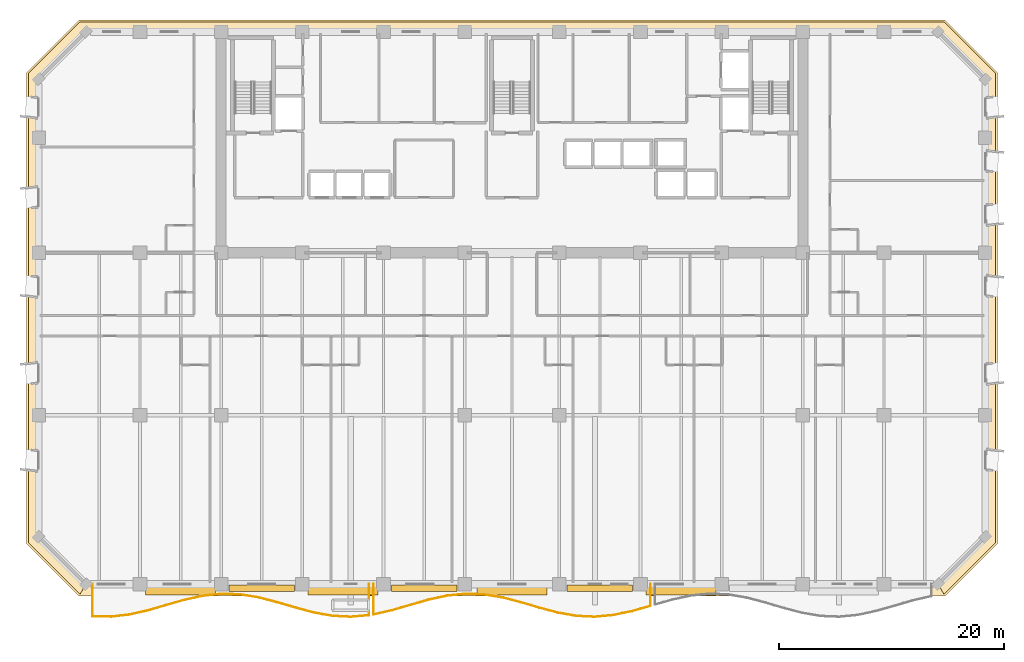
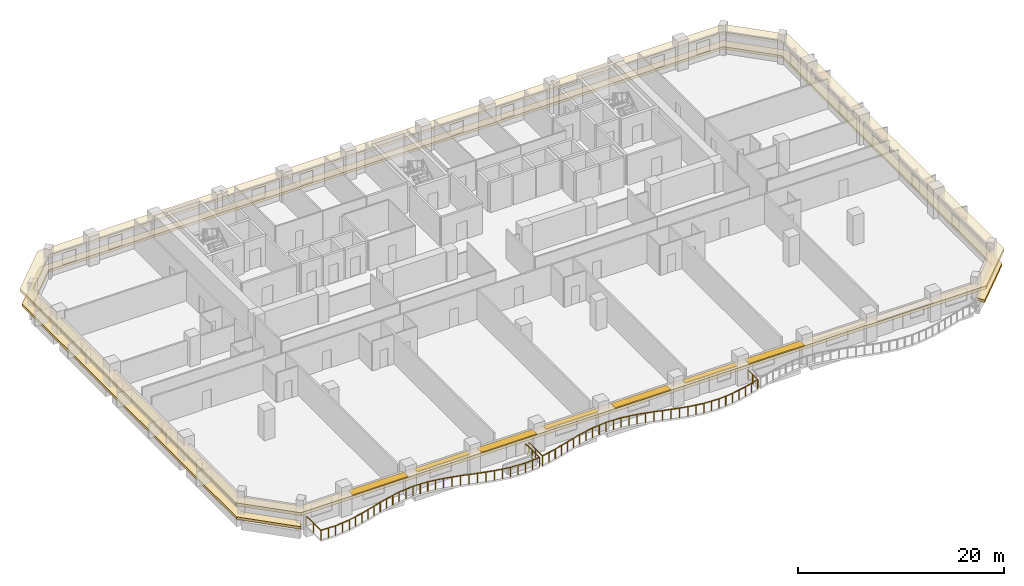
# One storey, part 12 of 15: 7 shading devices, 2 coverings, 2 railings.
"""IFC4 building model written with IfcOpenShell, lengths in metres."""

from ifc_helpers import new_model, si_unit, direction, frame, origin, origin_2d, place, context, subcontext, project, spatial, polyline, rectangle, outline, extrude, material, layer, layer_set, type_object, element, save


model = new_model("IFC4")

# Units and contexts
model_context = context("Model", 3, precision=1e-05, world=origin(), true_north=direction((0.0, 1.0)))
body_context = subcontext(model_context, "Body", "Model", "MODEL_VIEW")
ifc_project = project(units=[si_unit("LENGTHUNIT", "METRE"), si_unit("AREAUNIT", "SQUARE_METRE"), si_unit("VOLUMEUNIT", "CUBIC_METRE"), si_unit("PLANEANGLEUNIT", "RADIAN"), si_unit("MASSUNIT", "GRAM", prefix="KILO")], contexts=[model_context])

# Site, building, storey
site_placement = place(None, origin())
site = spatial("IfcSite", under=ifc_project, at=site_placement, CompositionType="ELEMENT")
building_placement = place(site_placement, origin())
building = spatial("IfcBuilding", under=site, at=building_placement, Name="Kaelvorn Grand Hotel", CompositionType="ELEMENT")
storey_placement = place(building_placement, frame((0.0, 0.0, 100.550048828125)))
storey = spatial("IfcBuildingStorey", under=building, at=storey_placement, Name="L23", CompositionType="ELEMENT", Elevation=100.550048828125)

# Coverings
ifc_material_1 = material(Name="Precast concrete C45/55", Category="concrete")
ifc_layer_1 = layer(ifc_material_1, 0.260009765625)
ifc_layer_set_1 = layer_set([ifc_layer_1], Name="Precast concrete C45/55")
covering_type_1 = type_object("IfcCoveringType", Name="COV-BAND-STREAMLINE-HEAD", PredefinedType="CLADDING", material=ifc_layer_set_1)
covering_1_placement = place(storey_placement, frame((0.0, 0.0, 2.179931640625)))
element("IfcCovering", 1, at=covering_1_placement, inside=storey, type_object=covering_type_1, Name="L23 Streamline Moderne Wraparound Horizontal Eyebrow Band", PredefinedType="CLADDING", context=body_context, shape_type="SweptSolid", body=[
    extrude(outline(polyline([(3.590087890625, -1.050048828125), (80.409912109375, -1.050048828125), (85.050048828125, 3.590087890625), (85.050048828125, 45.409912109375), (80.409912109375, 50.050048828125), (3.590087890625, 50.050048828125), (-1.050048828125, 45.409912109375), (-1.050048828125, 3.590087890625), (3.590087890625, -1.050048828125)]), holes=[polyline([(4.219970703125, 0.030029296875), (79.780029296875, 0.030029296875), (83.969970703125, 4.219970703125), (83.969970703125, 44.780029296875), (79.780029296875, 48.969970703125), (4.219970703125, 48.969970703125), (0.030029296875, 44.780029296875), (0.030029296875, 4.219970703125), (4.219970703125, 0.030029296875)])]), origin(), (0.0, 0.0, 1.0), 0.360107421875),
])
ifc_layer_2 = layer(ifc_material_1, 0.219970703125)
ifc_layer_set_2 = layer_set([ifc_layer_2], Name="Precast concrete C45/55")
covering_type_2 = type_object("IfcCoveringType", Name="COV-BAND-STREAMLINE-SILL", PredefinedType="CLADDING", material=ifc_layer_set_2)
covering_2_placement = place(storey_placement, frame((0.0, 0.0, 0.449951171875)))
element("IfcCovering", 2, at=covering_2_placement, inside=storey, type_object=covering_type_2, Name="L23 Streamline Moderne Wraparound Horizontal Sill Spandrel Band", PredefinedType="CLADDING", context=body_context, shape_type="SweptSolid", body=[
    extrude(outline(polyline([(80.3154296875, -0.8798828125), (84.8798828125, 3.6845703125), (84.8798828125, 45.3154296875), (80.3154296875, 49.8798828125), (3.6845703125, 49.8798828125), (-0.8798828125, 45.3154296875), (-0.8798828125, 3.6845703125), (3.6845703125, -0.8798828125), (4.217529296875, 0.030029296875), (0.030029296875, 4.217529296875), (0.030029296875, 44.782470703125), (4.217529296875, 48.969970703125), (79.782470703125, 48.969970703125), (83.969970703125, 44.782470703125), (83.969970703125, 4.217529296875), (79.782470703125, 0.030029296875), (80.3154296875, -0.8798828125)])), origin(), (0.0, 0.0, 1.0), 0.300048828125),
])

# Railings
ifc_material_2 = material(Name="Stainless Steel", Category="steel")
railing_type = type_object("IfcRailingType", Name="RL-BALC-1150", PredefinedType="BALUSTRADE", material=ifc_material_2)
railing_1_placement = place(storey_placement, frame((4.800048828125, 0.0, 0.0)))
element("IfcRailing", 3, at=railing_1_placement, inside=storey, type_object=railing_type, Name="L23 Scalloped Wave Balcony Balustrade GR1-1", PredefinedType="BALUSTRADE", context=body_context, shape_type="SweptSolid", body=[
    extrude(rectangle(XDim=0.048095703125, YDim=0.048095703125, at=origin_2d()), frame((0.0, 0.0, 1.1259765625), z_axis=(0.0, -1.0, 0.0), x_axis=(1.0, 0.0, 0.0)), (0.0, 0.0, 1.0), 2.849853515625),
    extrude(rectangle(XDim=0.048095703125, YDim=0.048095703125, at=origin_2d()), frame((0.0, -2.849853515625, 1.1259765625), z_axis=(0.999746055688, -0.022534953636, 0.0), x_axis=(0.022534953636, 0.999746055688, 0.0)), (0.0, 0.0, 1.0), 1.635986328125),
    extrude(rectangle(XDim=0.048095703125, YDim=0.048095703125, at=origin_2d()), frame((1.635498046875, -2.88671875, 1.1259765625), z_axis=(0.993458851833, 0.114190672624, 0.0), x_axis=(-0.114190672624, 0.993458851833, 0.0)), (0.0, 0.0, 1.0), 1.646240234375),
    extrude(rectangle(XDim=0.048095703125, YDim=0.048095703125, at=origin_2d()), frame((3.27099609375, -2.69873046875, 1.1259765625), z_axis=(0.975249967804, 0.221105179268, 0.0), x_axis=(-0.221105179268, 0.975249967804, 0.0)), (0.0, 0.0, 1.0), 1.67724609375),
    extrude(rectangle(XDim=0.048095703125, YDim=0.048095703125, at=origin_2d()), frame((4.90673828125, -2.327880859375, 1.1259765625), z_axis=(0.960877196389, 0.276974752385, 0.0), x_axis=(-0.276974752385, 0.960877196389, 0.0)), (0.0, 0.0, 1.0), 1.7021484375),
    extrude(rectangle(XDim=0.048095703125, YDim=0.048095703125, at=origin_2d()), frame((6.542236328125, -1.8564453125, 1.1259765625), z_axis=(0.961523947641, 0.274721127897, 0.0), x_axis=(-0.274721127897, 0.961523947641, 0.0)), (0.0, 0.0, 1.0), 1.700927734375),
    extrude(rectangle(XDim=0.048095703125, YDim=0.048095703125, at=origin_2d()), frame((8.177734375, -1.38916015625, 1.1259765625), z_axis=(0.976698893924, 0.21461423673, 0.0), x_axis=(-0.21461423673, 0.976698893924, 0.0)), (0.0, 0.0, 1.0), 1.674560546875),
    extrude(rectangle(XDim=0.048095703125, YDim=0.048095703125, at=origin_2d()), frame((9.813232421875, -1.02978515625, 1.1259765625), z_axis=(0.994538755279, 0.104367927297, 0.0), x_axis=(-0.104367927297, 0.994538755279, 0.0)), (0.0, 0.0, 1.0), 1.64453125),
    extrude(rectangle(XDim=0.048095703125, YDim=0.048095703125, at=origin_2d()), frame((11.44873046875, -0.858154296875, 1.1259765625), z_axis=(0.999451509735, -0.033116154502, 0.0), x_axis=(0.033116154502, 0.999451509735, 0.0)), (0.0, 0.0, 1.0), 1.63671875),
    extrude(rectangle(XDim=0.048095703125, YDim=0.048095703125, at=origin_2d()), frame((13.08447265625, -0.912353515625, 1.1259765625), z_axis=(0.986832291042, -0.161746806324, 0.0), x_axis=(0.161746806324, 0.986832291042, 0.0)), (0.0, 0.0, 1.0), 1.6572265625),
    extrude(rectangle(XDim=0.048095703125, YDim=0.048095703125, at=origin_2d()), frame((14.719970703125, -1.180419921875, 1.1259765625), z_axis=(0.96823444274, -0.25004412389, 0.0), x_axis=(0.25004412389, 0.96823444274, 0.0)), (0.0, 0.0, 1.0), 1.689208984375),
    extrude(rectangle(XDim=0.048095703125, YDim=0.048095703125, at=origin_2d()), frame((16.35546875, -1.602783203125, 1.1259765625), z_axis=(0.959105197492, -0.283049854522, 0.0), x_axis=(0.283049854522, 0.959105197492, 0.0)), (0.0, 0.0, 1.0), 1.705322265625),
    extrude(rectangle(XDim=0.048095703125, YDim=0.048095703125, at=origin_2d()), frame((17.990966796875, -2.08544921875, 1.1259765625), z_axis=(0.966258871987, -0.257572887368, 0.0), x_axis=(0.257572887368, 0.966258871987, 0.0)), (0.0, 0.0, 1.0), 1.69287109375),
    extrude(rectangle(XDim=0.048095703125, YDim=0.048095703125, at=origin_2d()), frame((19.626708984375, -2.521484375, 1.1259765625), z_axis=(0.984383042767, -0.176039839563, 0.0), x_axis=(0.176039839563, 0.984383042767, 0.0)), (0.0, 0.0, 1.0), 1.661376953125),
    extrude(rectangle(XDim=0.048095703125, YDim=0.048095703125, at=origin_2d()), frame((21.26220703125, -2.81396484375, 1.1259765625), z_axis=(0.998684141863, -0.05128337734, 0.0), x_axis=(0.05128337734, 0.998684141863, 0.0)), (0.0, 0.0, 1.0), 1.6376953125),
    extrude(rectangle(XDim=0.048095703125, YDim=0.048095703125, at=origin_2d()), frame((22.897705078125, -2.89794921875, 1.1259765625), z_axis=(0.996182895251, 0.087290544785, 0.0), x_axis=(-0.087290544785, 0.996182895251, 0.0)), (0.0, 0.0, 1.0), 1.641845703125),
    extrude(rectangle(XDim=0.048095703125, YDim=0.048095703125, at=origin_2d()), frame((24.533203125, -2.754638671875, 1.1259765625), z_axis=(0.0, 1.0, 0.0), x_axis=(-1.0, 0.0, 0.0)), (0.0, 0.0, 1.0), 2.754638671875),
    extrude(rectangle(XDim=0.0419921875, YDim=0.0419921875, at=origin_2d()), origin(), (0.0, 0.0, 1.0), 1.101806640625),
    extrude(rectangle(XDim=0.0419921875, YDim=0.0419921875, at=origin_2d()), frame((0.0, -1.4248046875, 0.0)), (0.0, 0.0, 1.0), 1.101806640625),
    extrude(rectangle(XDim=0.0419921875, YDim=0.0419921875, at=origin_2d()), frame((0.0, -2.849853515625, 0.0)), (0.0, 0.0, 1.0), 1.101806640625),
    extrude(rectangle(XDim=0.0419921875, YDim=0.0419921875, at=origin_2d()), frame((0.81787109375, -2.8681640625, 0.0)), (0.0, 0.0, 1.0), 1.101806640625),
    extrude(rectangle(XDim=0.0419921875, YDim=0.0419921875, at=origin_2d()), frame((1.635498046875, -2.88671875, 0.0)), (0.0, 0.0, 1.0), 1.101806640625),
    extrude(rectangle(XDim=0.0419921875, YDim=0.0419921875, at=origin_2d()), frame((2.453125, -2.792724609375, 0.0)), (0.0, 0.0, 1.0), 1.101806640625),
    extrude(rectangle(XDim=0.0419921875, YDim=0.0419921875, at=origin_2d()), frame((3.27099609375, -2.69873046875, 0.0)), (0.0, 0.0, 1.0), 1.101806640625),
    extrude(rectangle(XDim=0.0419921875, YDim=0.0419921875, at=origin_2d()), frame((4.0888671875, -2.51318359375, 0.0)), (0.0, 0.0, 1.0), 1.101806640625),
    extrude(rectangle(XDim=0.0419921875, YDim=0.0419921875, at=origin_2d()), frame((4.90673828125, -2.327880859375, 0.0)), (0.0, 0.0, 1.0), 1.101806640625),
    extrude(rectangle(XDim=0.0419921875, YDim=0.0419921875, at=origin_2d()), frame((5.724609375, -2.09228515625, 0.0)), (0.0, 0.0, 1.0), 1.101806640625),
    extrude(rectangle(XDim=0.0419921875, YDim=0.0419921875, at=origin_2d()), frame((6.542236328125, -1.8564453125, 0.0)), (0.0, 0.0, 1.0), 1.101806640625),
    extrude(rectangle(XDim=0.0419921875, YDim=0.0419921875, at=origin_2d()), frame((7.35986328125, -1.622802734375, 0.0)), (0.0, 0.0, 1.0), 1.101806640625),
    extrude(rectangle(XDim=0.0419921875, YDim=0.0419921875, at=origin_2d()), frame((8.177734375, -1.38916015625, 0.0)), (0.0, 0.0, 1.0), 1.101806640625),
    extrude(rectangle(XDim=0.0419921875, YDim=0.0419921875, at=origin_2d()), frame((8.99560546875, -1.20947265625, 0.0)), (0.0, 0.0, 1.0), 1.101806640625),
    extrude(rectangle(XDim=0.0419921875, YDim=0.0419921875, at=origin_2d()), frame((9.813232421875, -1.02978515625, 0.0)), (0.0, 0.0, 1.0), 1.101806640625),
    extrude(rectangle(XDim=0.0419921875, YDim=0.0419921875, at=origin_2d()), frame((10.630859375, -0.94384765625, 0.0)), (0.0, 0.0, 1.0), 1.101806640625),
    extrude(rectangle(XDim=0.0419921875, YDim=0.0419921875, at=origin_2d()), frame((11.44873046875, -0.858154296875, 0.0)), (0.0, 0.0, 1.0), 1.101806640625),
    extrude(rectangle(XDim=0.0419921875, YDim=0.0419921875, at=origin_2d()), frame((12.2666015625, -0.88525390625, 0.0)), (0.0, 0.0, 1.0), 1.101806640625),
    extrude(rectangle(XDim=0.0419921875, YDim=0.0419921875, at=origin_2d()), frame((13.08447265625, -0.912353515625, 0.0)), (0.0, 0.0, 1.0), 1.101806640625),
    extrude(rectangle(XDim=0.0419921875, YDim=0.0419921875, at=origin_2d()), frame((13.90234375, -1.04638671875, 0.0)), (0.0, 0.0, 1.0), 1.101806640625),
    extrude(rectangle(XDim=0.0419921875, YDim=0.0419921875, at=origin_2d()), frame((14.719970703125, -1.180419921875, 0.0)), (0.0, 0.0, 1.0), 1.101806640625),
    extrude(rectangle(XDim=0.0419921875, YDim=0.0419921875, at=origin_2d()), frame((15.53759765625, -1.3916015625, 0.0)), (0.0, 0.0, 1.0), 1.101806640625),
    extrude(rectangle(XDim=0.0419921875, YDim=0.0419921875, at=origin_2d()), frame((16.35546875, -1.602783203125, 0.0)), (0.0, 0.0, 1.0), 1.101806640625),
    extrude(rectangle(XDim=0.0419921875, YDim=0.0419921875, at=origin_2d()), frame((17.17333984375, -1.84423828125, 0.0)), (0.0, 0.0, 1.0), 1.101806640625),
    extrude(rectangle(XDim=0.0419921875, YDim=0.0419921875, at=origin_2d()), frame((17.990966796875, -2.08544921875, 0.0)), (0.0, 0.0, 1.0), 1.101806640625),
    extrude(rectangle(XDim=0.0419921875, YDim=0.0419921875, at=origin_2d()), frame((18.808837890625, -2.303466796875, 0.0)), (0.0, 0.0, 1.0), 1.101806640625),
    extrude(rectangle(XDim=0.0419921875, YDim=0.0419921875, at=origin_2d()), frame((19.626708984375, -2.521484375, 0.0)), (0.0, 0.0, 1.0), 1.101806640625),
    extrude(rectangle(XDim=0.0419921875, YDim=0.0419921875, at=origin_2d()), frame((20.4443359375, -2.667724609375, 0.0)), (0.0, 0.0, 1.0), 1.101806640625),
    extrude(rectangle(XDim=0.0419921875, YDim=0.0419921875, at=origin_2d()), frame((21.26220703125, -2.81396484375, 0.0)), (0.0, 0.0, 1.0), 1.101806640625),
    extrude(rectangle(XDim=0.0419921875, YDim=0.0419921875, at=origin_2d()), frame((22.080078125, -2.85595703125, 0.0)), (0.0, 0.0, 1.0), 1.101806640625),
    extrude(rectangle(XDim=0.0419921875, YDim=0.0419921875, at=origin_2d()), frame((22.897705078125, -2.89794921875, 0.0)), (0.0, 0.0, 1.0), 1.101806640625),
    extrude(rectangle(XDim=0.0419921875, YDim=0.0419921875, at=origin_2d()), frame((23.71533203125, -2.826171875, 0.0)), (0.0, 0.0, 1.0), 1.101806640625),
    extrude(rectangle(XDim=0.0419921875, YDim=0.0419921875, at=origin_2d()), frame((24.533203125, -2.754638671875, 0.0)), (0.0, 0.0, 1.0), 1.101806640625),
    extrude(rectangle(XDim=0.0419921875, YDim=0.0419921875, at=origin_2d()), frame((24.533203125, -1.37744140625, 0.0)), (0.0, 0.0, 1.0), 1.101806640625),
    extrude(rectangle(XDim=0.0419921875, YDim=0.0419921875, at=origin_2d()), frame((24.533203125, 0.0, 0.0)), (0.0, 0.0, 1.0), 1.101806640625),
])
railing_2_placement = place(storey_placement, frame((29.7333984375, 0.0, 0.0)))
element("IfcRailing", 4, at=railing_2_placement, inside=storey, type_object=railing_type, Name="L23 Scalloped Wave Balcony Balustrade GR1-2", PredefinedType="BALUSTRADE", context=body_context, shape_type="SweptSolid", body=[
    extrude(rectangle(XDim=0.048095703125, YDim=0.048095703125, at=origin_2d()), frame((0.0, 0.0, 1.1259765625), z_axis=(0.0, -1.0, 0.0), x_axis=(1.0, 0.0, 0.0)), (0.0, 0.0, 1.0), 2.6875),
    extrude(rectangle(XDim=0.048095703125, YDim=0.048095703125, at=origin_2d()), frame((0.0, -2.6875, 1.1259765625), z_axis=(0.974547877033, 0.22417947134, 0.0), x_axis=(-0.22417947134, 0.974547877033, 0.0)), (0.0, 0.0, 1.0), 1.67822265625),
    extrude(rectangle(XDim=0.048095703125, YDim=0.048095703125, at=origin_2d()), frame((1.635498046875, -2.311279296875, 1.1259765625), z_axis=(0.960571319089, 0.278033704689, 0.0), x_axis=(-0.278033704689, 0.960571319089, 0.0)), (0.0, 0.0, 1.0), 1.70263671875),
    extrude(rectangle(XDim=0.048095703125, YDim=0.048095703125, at=origin_2d()), frame((3.27099609375, -1.837890625, 1.1259765625), z_axis=(0.96186455439, 0.273526194374, 0.0), x_axis=(-0.273526194374, 0.96186455439, 0.0)), (0.0, 0.0, 1.0), 1.700439453125),
    extrude(rectangle(XDim=0.048095703125, YDim=0.048095703125, at=origin_2d()), frame((4.906494140625, -1.372802734375, 1.1259765625), z_axis=(0.977433707694, 0.211242389364, 0.0), x_axis=(-0.211242389364, 0.977433707694, 0.0)), (0.0, 0.0, 1.0), 1.673583984375),
    extrude(rectangle(XDim=0.048095703125, YDim=0.048095703125, at=origin_2d()), frame((6.542236328125, -1.019287109375, 1.1259765625), z_axis=(0.995050417391, 0.099371358297, 0.0), x_axis=(-0.099371358297, 0.995050417391, 0.0)), (0.0, 0.0, 1.0), 1.6435546875),
    extrude(rectangle(XDim=0.048095703125, YDim=0.048095703125, at=origin_2d()), frame((8.177734375, -0.85595703125, 1.1259765625), z_axis=(0.999264915568, -0.038335734184, 0.0), x_axis=(0.038335734184, 0.999264915568, 0.0)), (0.0, 0.0, 1.0), 1.63671875),
    extrude(rectangle(XDim=0.048095703125, YDim=0.048095703125, at=origin_2d()), frame((9.813232421875, -0.918701171875, 1.1259765625), z_axis=(0.986118033534, -0.166045848907, 0.0), x_axis=(0.166045848907, 0.986118033534, 0.0)), (0.0, 0.0, 1.0), 1.658447265625),
    extrude(rectangle(XDim=0.048095703125, YDim=0.048095703125, at=origin_2d()), frame((11.44873046875, -1.194091796875, 1.1259765625), z_axis=(0.967646406536, -0.252310189883, 0.0), x_axis=(0.252310189883, 0.967646406536, 0.0)), (0.0, 0.0, 1.0), 1.6904296875),
    extrude(rectangle(XDim=0.048095703125, YDim=0.048095703125, at=origin_2d()), frame((13.08447265625, -1.62060546875, 1.1259765625), z_axis=(0.959027432838, -0.2833132243, 0.0), x_axis=(0.2833132243, 0.959027432838, 0.0)), (0.0, 0.0, 1.0), 1.705322265625),
    extrude(rectangle(XDim=0.048095703125, YDim=0.048095703125, at=origin_2d()), frame((14.719970703125, -2.103759765625, 1.1259765625), z_axis=(0.966821682926, -0.255452213581, 0.0), x_axis=(0.255452213581, 0.966821682926, 0.0)), (0.0, 0.0, 1.0), 1.691650390625),
    extrude(rectangle(XDim=0.048095703125, YDim=0.048095703125, at=origin_2d()), frame((16.35546875, -2.535888671875, 1.1259765625), z_axis=(0.985113377214, -0.171905887142, 0.0), x_axis=(0.171905887142, 0.985113377214, 0.0)), (0.0, 0.0, 1.0), 1.66015625),
    extrude(rectangle(XDim=0.048095703125, YDim=0.048095703125, at=origin_2d()), frame((17.990966796875, -2.8212890625, 1.1259765625), z_axis=(0.998945044437, -0.045921652789, 0.0), x_axis=(0.045921652789, 0.998945044437, 0.0)), (0.0, 0.0, 1.0), 1.637451171875),
    extrude(rectangle(XDim=0.048095703125, YDim=0.048095703125, at=origin_2d()), frame((19.626708984375, -2.896484375, 1.1259765625), z_axis=(0.995730813029, 0.092304647692, 0.0), x_axis=(-0.092304647692, 0.995730813029, 0.0)), (0.0, 0.0, 1.0), 1.642578125),
    extrude(rectangle(XDim=0.048095703125, YDim=0.048095703125, at=origin_2d()), frame((21.26220703125, -2.744873046875, 1.1259765625), z_axis=(0.978500163728, 0.206246041377, 0.0), x_axis=(-0.206246041377, 0.978500163728, 0.0)), (0.0, 0.0, 1.0), 1.67138671875),
    extrude(rectangle(XDim=0.048095703125, YDim=0.048095703125, at=origin_2d()), frame((22.897705078125, -2.400146484375, 1.1259765625), z_axis=(0.962391909426, 0.27166489039, 0.0), x_axis=(-0.27166489039, 0.962391909426, 0.0)), (0.0, 0.0, 1.0), 1.699462890625),
    extrude(rectangle(XDim=0.048095703125, YDim=0.048095703125, at=origin_2d()), frame((24.533203125, -1.9384765625, 1.1259765625), z_axis=(0.0, 1.0, 0.0), x_axis=(-1.0, 0.0, 0.0)), (0.0, 0.0, 1.0), 1.9384765625),
    extrude(rectangle(XDim=0.0419921875, YDim=0.0419921875, at=origin_2d()), origin(), (0.0, 0.0, 1.0), 1.101806640625),
    extrude(rectangle(XDim=0.0419921875, YDim=0.0419921875, at=origin_2d()), frame((0.0, -1.34375, 0.0)), (0.0, 0.0, 1.0), 1.101806640625),
    extrude(rectangle(XDim=0.0419921875, YDim=0.0419921875, at=origin_2d()), frame((0.0, -2.6875, 0.0)), (0.0, 0.0, 1.0), 1.101806640625),
    extrude(rectangle(XDim=0.0419921875, YDim=0.0419921875, at=origin_2d()), frame((0.81787109375, -2.49951171875, 0.0)), (0.0, 0.0, 1.0), 1.101806640625),
    extrude(rectangle(XDim=0.0419921875, YDim=0.0419921875, at=origin_2d()), frame((1.635498046875, -2.311279296875, 0.0)), (0.0, 0.0, 1.0), 1.101806640625),
    extrude(rectangle(XDim=0.0419921875, YDim=0.0419921875, at=origin_2d()), frame((2.453125, -2.07470703125, 0.0)), (0.0, 0.0, 1.0), 1.101806640625),
    extrude(rectangle(XDim=0.0419921875, YDim=0.0419921875, at=origin_2d()), frame((3.27099609375, -1.837890625, 0.0)), (0.0, 0.0, 1.0), 1.101806640625),
    extrude(rectangle(XDim=0.0419921875, YDim=0.0419921875, at=origin_2d()), frame((4.0888671875, -1.60546875, 0.0)), (0.0, 0.0, 1.0), 1.101806640625),
    extrude(rectangle(XDim=0.0419921875, YDim=0.0419921875, at=origin_2d()), frame((4.906494140625, -1.372802734375, 0.0)), (0.0, 0.0, 1.0), 1.101806640625),
    extrude(rectangle(XDim=0.0419921875, YDim=0.0419921875, at=origin_2d()), frame((5.724365234375, -1.196044921875, 0.0)), (0.0, 0.0, 1.0), 1.101806640625),
    extrude(rectangle(XDim=0.0419921875, YDim=0.0419921875, at=origin_2d()), frame((6.542236328125, -1.019287109375, 0.0)), (0.0, 0.0, 1.0), 1.101806640625),
    extrude(rectangle(XDim=0.0419921875, YDim=0.0419921875, at=origin_2d()), frame((7.35986328125, -0.9375, 0.0)), (0.0, 0.0, 1.0), 1.101806640625),
    extrude(rectangle(XDim=0.0419921875, YDim=0.0419921875, at=origin_2d()), frame((8.177734375, -0.85595703125, 0.0)), (0.0, 0.0, 1.0), 1.101806640625),
    extrude(rectangle(XDim=0.0419921875, YDim=0.0419921875, at=origin_2d()), frame((8.99560546875, -0.88720703125, 0.0)), (0.0, 0.0, 1.0), 1.101806640625),
    extrude(rectangle(XDim=0.0419921875, YDim=0.0419921875, at=origin_2d()), frame((9.813232421875, -0.918701171875, 0.0)), (0.0, 0.0, 1.0), 1.101806640625),
    extrude(rectangle(XDim=0.0419921875, YDim=0.0419921875, at=origin_2d()), frame((10.630859375, -1.056396484375, 0.0)), (0.0, 0.0, 1.0), 1.101806640625),
    extrude(rectangle(XDim=0.0419921875, YDim=0.0419921875, at=origin_2d()), frame((11.44873046875, -1.194091796875, 0.0)), (0.0, 0.0, 1.0), 1.101806640625),
    extrude(rectangle(XDim=0.0419921875, YDim=0.0419921875, at=origin_2d()), frame((12.2666015625, -1.4072265625, 0.0)), (0.0, 0.0, 1.0), 1.101806640625),
    extrude(rectangle(XDim=0.0419921875, YDim=0.0419921875, at=origin_2d()), frame((13.08447265625, -1.62060546875, 0.0)), (0.0, 0.0, 1.0), 1.101806640625),
    extrude(rectangle(XDim=0.0419921875, YDim=0.0419921875, at=origin_2d()), frame((13.90234375, -1.8623046875, 0.0)), (0.0, 0.0, 1.0), 1.101806640625),
    extrude(rectangle(XDim=0.0419921875, YDim=0.0419921875, at=origin_2d()), frame((14.719970703125, -2.103759765625, 0.0)), (0.0, 0.0, 1.0), 1.101806640625),
    extrude(rectangle(XDim=0.0419921875, YDim=0.0419921875, at=origin_2d()), frame((15.53759765625, -2.31982421875, 0.0)), (0.0, 0.0, 1.0), 1.101806640625),
    extrude(rectangle(XDim=0.0419921875, YDim=0.0419921875, at=origin_2d()), frame((16.35546875, -2.535888671875, 0.0)), (0.0, 0.0, 1.0), 1.101806640625),
    extrude(rectangle(XDim=0.0419921875, YDim=0.0419921875, at=origin_2d()), frame((17.17333984375, -2.6787109375, 0.0)), (0.0, 0.0, 1.0), 1.101806640625),
    extrude(rectangle(XDim=0.0419921875, YDim=0.0419921875, at=origin_2d()), frame((17.990966796875, -2.8212890625, 0.0)), (0.0, 0.0, 1.0), 1.101806640625),
    extrude(rectangle(XDim=0.0419921875, YDim=0.0419921875, at=origin_2d()), frame((18.808837890625, -2.85888671875, 0.0)), (0.0, 0.0, 1.0), 1.101806640625),
    extrude(rectangle(XDim=0.0419921875, YDim=0.0419921875, at=origin_2d()), frame((19.626708984375, -2.896484375, 0.0)), (0.0, 0.0, 1.0), 1.101806640625),
    extrude(rectangle(XDim=0.0419921875, YDim=0.0419921875, at=origin_2d()), frame((20.4443359375, -2.82080078125, 0.0)), (0.0, 0.0, 1.0), 1.101806640625),
    extrude(rectangle(XDim=0.0419921875, YDim=0.0419921875, at=origin_2d()), frame((21.26220703125, -2.744873046875, 0.0)), (0.0, 0.0, 1.0), 1.101806640625),
    extrude(rectangle(XDim=0.0419921875, YDim=0.0419921875, at=origin_2d()), frame((22.080078125, -2.572509765625, 0.0)), (0.0, 0.0, 1.0), 1.101806640625),
    extrude(rectangle(XDim=0.0419921875, YDim=0.0419921875, at=origin_2d()), frame((22.897705078125, -2.400146484375, 0.0)), (0.0, 0.0, 1.0), 1.101806640625),
    extrude(rectangle(XDim=0.0419921875, YDim=0.0419921875, at=origin_2d()), frame((23.71533203125, -2.16943359375, 0.0)), (0.0, 0.0, 1.0), 1.101806640625),
    extrude(rectangle(XDim=0.0419921875, YDim=0.0419921875, at=origin_2d()), frame((24.533203125, -1.9384765625, 0.0)), (0.0, 0.0, 1.0), 1.101806640625),
    extrude(rectangle(XDim=0.0419921875, YDim=0.0419921875, at=origin_2d()), frame((24.533203125, -0.96923828125, 0.0)), (0.0, 0.0, 1.0), 1.101806640625),
    extrude(rectangle(XDim=0.0419921875, YDim=0.0419921875, at=origin_2d()), frame((24.533203125, 0.0, 0.0)), (0.0, 0.0, 1.0), 1.101806640625),
])

# Shading devices
ifc_layer_3 = layer(ifc_material_1, 0.1201171875)
ifc_layer_set_3 = layer_set([ifc_layer_3], Name="Precast concrete C45/55")
shading_device_type_1 = type_object("IfcShadingDeviceType", Name="SHD-SUNSHADE-550", PredefinedType="USERDEFINED", material=ifc_layer_set_3)
for number, where, z_axis, x_axis, name in (
    (5, (19.800048828125, -0.364990234375, 2.419921875), (0.0, 0.0, 1.0), (1.0, 0.0, 0.0), "L23 Horizontal Concrete Sunshade Band SS-03"),
    (6, (34.199951171875, -0.364990234375, 2.419921875), (0.0, 0.0, 1.0), (1.0, 0.0, 0.0), "L23 Horizontal Concrete Sunshade Band SS-05"),
    (7, (49.800048828125, -0.364990234375, 2.419921875), (0.0, 0.0, 1.0), (1.0, 0.0, 0.0), "L23 Horizontal Concrete Sunshade Band SS-07"),
):
    element("IfcShadingDevice", number, at=place(storey_placement, frame(where, z_axis=z_axis, x_axis=x_axis)), inside=storey, type_object=shading_device_type_1, Name=name, ObjectType="SUNSHADE", PredefinedType="USERDEFINED", context=body_context, shape_type="SweptSolid", body=[
        extrude(rectangle(XDim=5.800048828125, YDim=0.550048828125, at=origin_2d()), origin(), (0.0, 0.0, 1.0), 0.1201171875),
    ])
ifc_layer_4 = layer(ifc_material_1, 0.139892578125)
ifc_layer_set_4 = layer_set([ifc_layer_4], Name="Precast concrete C45/55")
shading_device_type_2 = type_object("IfcShadingDeviceType", Name="SHD-SUNSHADE-850", PredefinedType="USERDEFINED", material=ifc_layer_set_4)
for number, where, z_axis, x_axis, name in (
    (8, (12.60009765625, -0.514892578125, 2.41015625), (0.0, 0.0, 1.0), (1.0, 0.0, 0.0), "L23 Horizontal Concrete Sunshade Band SS-02"),
    (9, (27.0, -0.514892578125, 2.41015625), (0.0, 0.0, 1.0), (1.0, 0.0, 0.0), "L23 Horizontal Concrete Sunshade Band SS-04"),
    (10, (42.0, -0.514892578125, 2.41015625), (0.0, 0.0, 1.0), (1.0, 0.0, 0.0), "L23 Horizontal Concrete Sunshade Band SS-06"),
    (11, (57.0, -0.514892578125, 2.41015625), (0.0, 0.0, 1.0), (1.0, 0.0, 0.0), "L23 Horizontal Concrete Sunshade Band SS-08"),
):
    element("IfcShadingDevice", number, at=place(storey_placement, frame(where, z_axis=z_axis, x_axis=x_axis)), inside=storey, type_object=shading_device_type_2, Name=name, ObjectType="SUNSHADE", PredefinedType="USERDEFINED", context=body_context, shape_type="SweptSolid", body=[
        extrude(rectangle(XDim=6.199951171875, YDim=0.85009765625, at=origin_2d()), origin(), (0.0, 0.0, 1.0), 0.139892578125),
    ])

save(model, "model.ifc")
